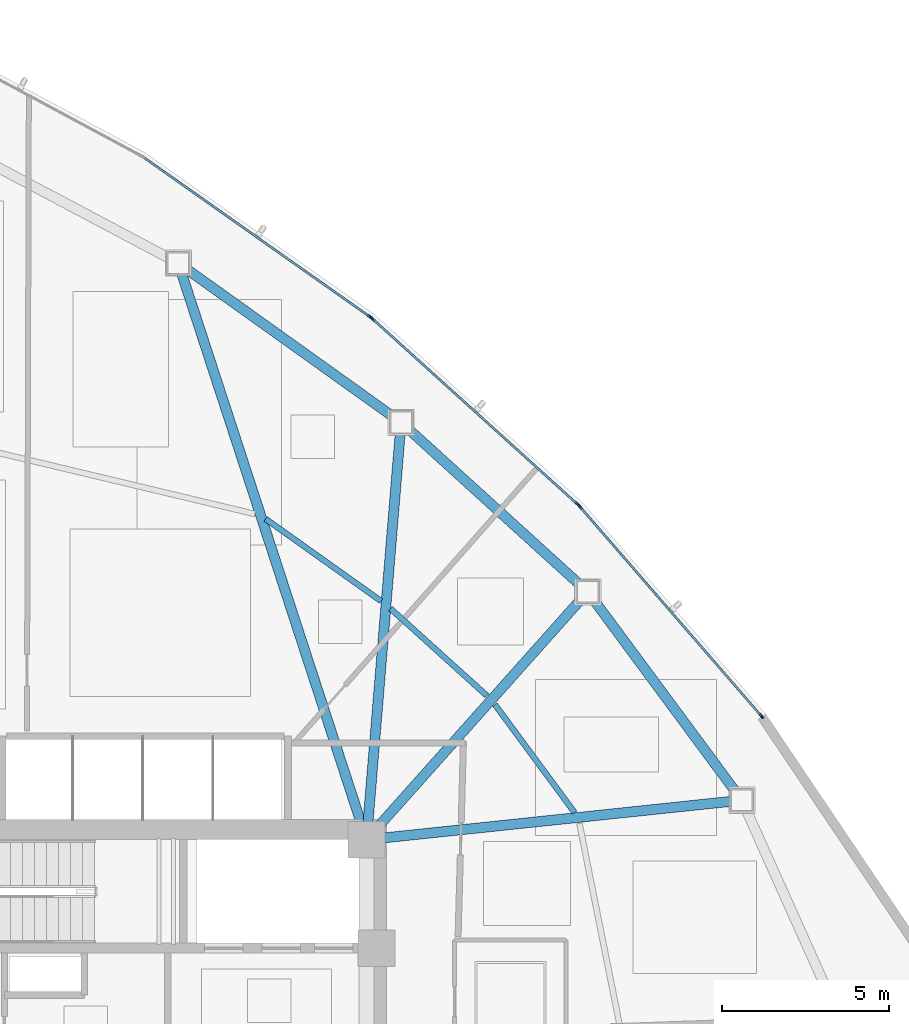
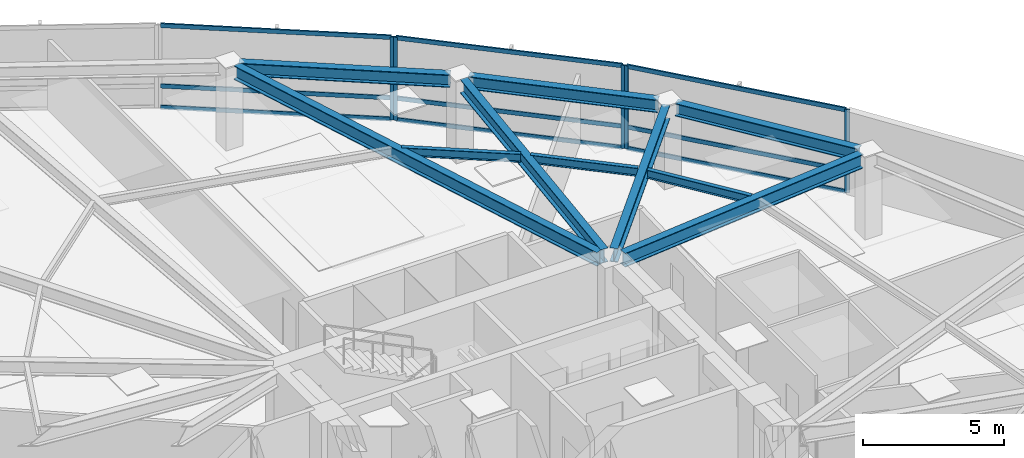
# One storey, part 9 of 17: 14 members, 10 beams, 3 elements without a shape of their own.
"""IFC4 building model written with IfcOpenShell, lengths in metres."""

from ifc_helpers import new_model, si_unit, direction, frame, origin, origin_2d, place, context, subcontext, project, spatial, hollow_rectangle, i_section, extrude, source, transform, mapped, material, layer, layer_set, material_profile, profile_set, type_object, type_shapes, element, aggregate, save


model = new_model("IFC4")

# Units and contexts
model_context = context("Model", 3, precision=1e-05, world=origin(), true_north=direction((0.0, 1.0)))
body_context = subcontext(model_context, "Body", "Model", "MODEL_VIEW")
ifc_project = project(units=[si_unit("LENGTHUNIT", "METRE"), si_unit("AREAUNIT", "SQUARE_METRE"), si_unit("VOLUMEUNIT", "CUBIC_METRE"), si_unit("PLANEANGLEUNIT", "RADIAN"), si_unit("MASSUNIT", "GRAM", prefix="KILO")], contexts=[model_context])

# Site, building, storey
site_placement = place(None, origin())
site = spatial("IfcSite", under=ifc_project, at=site_placement, CompositionType="ELEMENT")
building_placement = place(site_placement, origin())
building = spatial("IfcBuilding", under=site, at=building_placement, Name="Tavelor Broadcast Tower", CompositionType="ELEMENT")
storey_placement = place(building_placement, frame((0.0, 0.0, 86.10009765625)))
storey = spatial("IfcBuildingStorey", under=building, at=storey_placement, Name="L20", CompositionType="ELEMENT", Elevation=86.10009765625)

# Beams
ifc_material_1 = material(Name="Steel S355", Category="steel")
ifc_material_profile_1 = material_profile(ifc_material_1, i_section(OverallWidth=0.169921875, OverallDepth=0.360107421875, WebThickness=0.008056640625, FlangeThickness=0.0126953125, at=origin_2d()), Name="IPE 360")
ifc_profile_set_1 = profile_set([ifc_material_profile_1], Name="Steel S355")
beam_type_1 = type_object("IfcBeamType", Name="Composite Floor Joist T2 IPE 360", PredefinedType="JOIST", material=ifc_profile_set_1)
beam_1_placement = place(storey_placement, frame((62.831298828125, 52.012451171875, 3.419921875), z_axis=(-0.593748309908, 0.804650821463, 0.0), x_axis=(-0.804650821463, -0.593748309908, 0.0)))
element("IfcBeam", 1, at=beam_1_placement, inside=storey, type_object=beam_type_1, Name="L20 Secondary Composite Floor Joist 15", PredefinedType="JOIST", context=body_context, shape_type="SweptSolid", body=[
    extrude(i_section(OverallWidth=0.169921875, OverallDepth=0.360107421875, WebThickness=0.008056640625, FlangeThickness=0.0126953125, at=origin_2d()), origin(), (0.0, 0.0, 1.0), 4.016845703125),
])
beam_2_placement = place(storey_placement, frame((60.20458984375, 55.51171875, 3.419921875), z_axis=(-0.741870075826, 0.670543653011, 0.0), x_axis=(-0.670543653011, -0.741870075826, 0.0)))
element("IfcBeam", 2, at=beam_2_placement, inside=storey, type_object=beam_type_1, Name="L20 Secondary Composite Floor Joist 16", PredefinedType="JOIST", context=body_context, shape_type="SweptSolid", body=[
    extrude(i_section(OverallWidth=0.169921875, OverallDepth=0.360107421875, WebThickness=0.008056640625, FlangeThickness=0.0126953125, at=origin_2d()), origin(), (0.0, 0.0, 1.0), 3.891845703125),
])
beam_3_placement = place(storey_placement, frame((57.03564453125, 58.34765625, 3.419921875), z_axis=(-0.814948080737, 0.579533972864, 0.0), x_axis=(-0.579533972864, -0.814948080737, 0.0)))
element("IfcBeam", 3, at=beam_3_placement, inside=storey, type_object=beam_type_1, Name="L20 Secondary Composite Floor Joist 17", PredefinedType="JOIST", context=body_context, shape_type="SweptSolid", body=[
    extrude(i_section(OverallWidth=0.169921875, OverallDepth=0.360107421875, WebThickness=0.008056640625, FlangeThickness=0.0126953125, at=origin_2d()), origin(), (0.0, 0.0, 1.0), 4.24462890625),
])
ifc_material_profile_2 = material_profile(ifc_material_1, i_section(OverallWidth=0.300048828125, OverallDepth=0.550048828125, WebThickness=0.014892578125, FlangeThickness=0.029052734375, at=origin_2d()), Name="HEB 550")
ifc_profile_set_2 = profile_set([ifc_material_profile_2], Name="Steel S355")
beam_type_2 = type_object("IfcBeamType", Name="Perimeter Spandrel Beam T2 HEB 550", PredefinedType="SPANDREL", material=ifc_profile_set_2)
beam_4_placement = place(storey_placement, frame((67.640869140625, 52.652587890625, 3.324951171875), z_axis=(-0.594676591659, 0.803965018724, 0.0), x_axis=(-0.803965018724, -0.594676591659, 0.0)))
element("IfcBeam", 4, at=beam_4_placement, inside=storey, type_object=beam_type_2, Name="L20 Framed-Tube Ring Spandrel 15", PredefinedType="SPANDREL", context=body_context, shape_type="SweptSolid", body=[
    extrude(i_section(OverallWidth=0.300048828125, OverallDepth=0.550048828125, WebThickness=0.014892578125, FlangeThickness=0.029052734375, at=origin_2d()), origin(), (0.0, 0.0, 1.0), 7.09130859375),
])
beam_5_placement = place(storey_placement, frame((62.975341796875, 58.849609375, 3.324951171875), z_axis=(-0.740416987409, 0.672147814663, 0.0), x_axis=(-0.672147814663, -0.740416987409, 0.0)))
element("IfcBeam", 5, at=beam_5_placement, inside=storey, type_object=beam_type_2, Name="L20 Framed-Tube Ring Spandrel 16", PredefinedType="SPANDREL", context=body_context, shape_type="SweptSolid", body=[
    extrude(i_section(OverallWidth=0.300048828125, OverallDepth=0.550048828125, WebThickness=0.014892578125, FlangeThickness=0.029052734375, at=origin_2d()), origin(), (0.0, 0.0, 1.0), 6.876953125),
])
beam_6_placement = place(storey_placement, frame((57.361572265625, 63.893310546875, 3.324951171875), z_axis=(-0.813492458128, 0.581575464208, 0.0), x_axis=(-0.581575464208, -0.813492458128, 0.0)))
element("IfcBeam", 6, at=beam_6_placement, inside=storey, type_object=beam_type_2, Name="L20 Framed-Tube Ring Spandrel 17", PredefinedType="SPANDREL", context=body_context, shape_type="SweptSolid", body=[
    extrude(i_section(OverallWidth=0.300048828125, OverallDepth=0.550048828125, WebThickness=0.014892578125, FlangeThickness=0.029052734375, at=origin_2d()), origin(), (0.0, 0.0, 1.0), 7.531005859375),
])
ifc_material_profile_3 = material_profile(ifc_material_1, i_section(OverallWidth=0.300048828125, OverallDepth=0.60009765625, WebThickness=0.015380859375, FlangeThickness=0.030029296875, at=origin_2d()), Name="HEB 600")
ifc_profile_set_3 = profile_set([ifc_material_profile_3], Name="Steel S355")
beam_type_3 = type_object("IfcBeamType", Name="Radial Floor Girder T2 HEB 600", PredefinedType="BEAM", material=ifc_profile_set_3)
beam_7_placement = place(storey_placement, frame((57.125, 51.255126953125, 3.2998046875), z_axis=(0.994510577777, 0.104636086941, 0.0), x_axis=(-0.104636086941, 0.994510577777, 0.0)))
element("IfcBeam", 7, at=beam_7_placement, inside=storey, type_object=beam_type_3, Name="L20 Radial Primary Floor Girder 15", PredefinedType="BEAM", context=body_context, shape_type="SweptSolid", body=[
    extrude(i_section(OverallWidth=0.300048828125, OverallDepth=0.60009765625, WebThickness=0.015380859375, FlangeThickness=0.030029296875, at=origin_2d()), origin(), (0.0, 0.0, 1.0), 10.43896484375),
])
beam_8_placement = place(storey_placement, frame((56.951416015625, 51.593994140625, 3.2998046875), z_axis=(0.665778646807, 0.74614931043, 0.0), x_axis=(-0.74614931043, 0.665778646807, 0.0)))
element("IfcBeam", 8, at=beam_8_placement, inside=storey, type_object=beam_type_3, Name="L20 Radial Primary Floor Girder 16", PredefinedType="BEAM", context=body_context, shape_type="SweptSolid", body=[
    extrude(i_section(OverallWidth=0.300048828125, OverallDepth=0.60009765625, WebThickness=0.015380859375, FlangeThickness=0.030029296875, at=origin_2d()), origin(), (0.0, 0.0, 1.0), 9.085693359375),
])
beam_9_placement = place(storey_placement, frame((56.6435546875, 51.726318359375, 3.2998046875), z_axis=(0.082528077466, 0.996588739867, 0.0), x_axis=(-0.996588739867, 0.082528077466, 0.0)))
element("IfcBeam", 9, at=beam_9_placement, inside=storey, type_object=beam_type_3, Name="L20 Radial Primary Floor Girder 17", PredefinedType="BEAM", context=body_context, shape_type="SweptSolid", body=[
    extrude(i_section(OverallWidth=0.300048828125, OverallDepth=0.60009765625, WebThickness=0.015380859375, FlangeThickness=0.030029296875, at=origin_2d()), origin(), (0.0, 0.0, 1.0), 11.67626953125),
])
beam_10_placement = place(storey_placement, frame((56.43603515625, 51.701904296875, 3.2998046875), z_axis=(-0.310367170997, 0.950616757251, 0.0), x_axis=(-0.950616757251, -0.310367170997, 0.0)))
element("IfcBeam", 10, at=beam_10_placement, inside=storey, type_object=beam_type_3, Name="L20 Radial Primary Floor Girder 18", PredefinedType="BEAM", context=body_context, shape_type="SweptSolid", body=[
    extrude(i_section(OverallWidth=0.300048828125, OverallDepth=0.60009765625, WebThickness=0.015380859375, FlangeThickness=0.030029296875, at=origin_2d()), origin(), (0.0, 0.0, 1.0), 17.3017578125),
])

# Curtain wall, members
ifc_material_2 = material(Name="Architectural Anodized Aluminium", Category="aluminium")
ifc_layer = layer(ifc_material_2, 0.179931640625)
ifc_layer_set = layer_set([ifc_layer], Name="Architectural Anodized Aluminium")
curtain_wall_type = type_object("IfcCurtainWallType", Name="Tower Low-Zone Unitised Curtain Wall CW02", PredefinedType="NOTDEFINED", material=ifc_layer_set)
curtain_wall_1_placement = place(storey_placement, origin())
curtain_wall_1 = element("IfcCurtainWall", 11, at=curtain_wall_1_placement, inside=storey, type_object=curtain_wall_type, Name="L20 Curtain Wall CW02 Run 201", PredefinedType="NOTDEFINED")
ifc_material_profile_4 = material_profile(ifc_material_2, hollow_rectangle(XDim=0.06494140625, YDim=0.179931640625, WallThickness=0.02197265625, at=origin_2d()), Name="RHS 65x180x22")
ifc_profile_set_4 = profile_set([ifc_material_profile_4], Name="Architectural Anodized Aluminium")
member_type_1 = type_object("IfcMemberType", Name="CW02 Extruded Aluminium Mullion 65x180", PredefinedType="MULLION", material=ifc_profile_set_4)
shared_shape_1 = source(origin(), body_context, "Body", "SweptSolid", [
    extrude(hollow_rectangle(XDim=0.06494140625, YDim=0.179931640625, WallThickness=0.02197265625, at=origin_2d()), origin(), (0.0, 0.0, 1.0), 3.599853515625),
])
type_shapes(member_type_1, [shared_shape_1])
member_1_placement = place(storey_placement, frame((68.42431640625, 54.904541015625, 0.0), z_axis=(0.0, 0.0, 1.0), x_axis=(-0.755564834294, -0.655073874596, 0.0)))
member_1 = element("IfcMember", 12, at=member_1_placement, type_object=member_type_1, Name="CW02 mullion 1", PredefinedType="MULLION", context=body_context, shape_type="MappedRepresentation", body=[
    mapped(shared_shape_1, transform((0.0, 0.0, 0.0), scale=1.0)),
])
member_2_placement = place(storey_placement, frame((62.986572265625, 61.176513671875, 0.0), z_axis=(0.0, 0.0, 1.0), x_axis=(-0.755564834294, -0.655073874596, 0.0)))
member_2 = element("IfcMember", 13, at=member_2_placement, type_object=member_type_1, Name="CW02 mullion 2", PredefinedType="MULLION", context=body_context, shape_type="MappedRepresentation", body=[
    mapped(shared_shape_1, transform((0.0, 0.0, 0.0), scale=1.0)),
])

curtain_wall_2_placement = place(storey_placement, origin())
curtain_wall_2 = element("IfcCurtainWall", 14, at=curtain_wall_2_placement, inside=storey, type_object=curtain_wall_type, Name="L20 Curtain Wall CW02 Run 202", PredefinedType="NOTDEFINED")
member_3_placement = place(storey_placement, frame((62.92041015625, 61.244140625, 0.0), z_axis=(0.0, 0.0, 1.0), x_axis=(-0.670741165252, -0.741691505437, 0.0)))
member_3 = element("IfcMember", 15, at=member_3_placement, type_object=member_type_1, Name="CW02 mullion 1", PredefinedType="MULLION", context=body_context, shape_type="MappedRepresentation", body=[
    mapped(shared_shape_1, transform((0.0, 0.0, 0.0), scale=1.0)),
])
member_4_placement = place(storey_placement, frame((56.774658203125, 66.802001953125, 0.0), z_axis=(0.0, 0.0, 1.0), x_axis=(-0.670741165252, -0.741691505437, 0.0)))
member_4 = element("IfcMember", 16, at=member_4_placement, type_object=member_type_1, Name="CW02 mullion 2", PredefinedType="MULLION", context=body_context, shape_type="MappedRepresentation", body=[
    mapped(shared_shape_1, transform((0.0, 0.0, 0.0), scale=1.0)),
])

# Curtain wall, member
curtain_wall_3_placement = place(storey_placement, origin())
curtain_wall_3 = element("IfcCurtainWall", 17, at=curtain_wall_3_placement, inside=storey, type_object=curtain_wall_type, Name="L20 Curtain Wall CW02 Run 203", PredefinedType="NOTDEFINED")
member_5_placement = place(storey_placement, frame((56.70068359375, 66.861083984375, 0.0), z_axis=(0.0, 0.0, 1.0), x_axis=(-0.576063380284, -0.817405029282, 0.0)))
member_5 = element("IfcMember", 18, at=member_5_placement, type_object=member_type_1, Name="CW02 mullion 1", PredefinedType="MULLION", context=body_context, shape_type="MappedRepresentation", body=[
    mapped(shared_shape_1, transform((0.0, 0.0, 0.0), scale=1.0)),
])

# Member
ifc_material_profile_5 = material_profile(ifc_material_2, hollow_rectangle(XDim=0.06494140625, YDim=0.179931640625, WallThickness=0.02197265625, at=origin_2d()), Name="RHS 65x180x22")
ifc_profile_set_5 = profile_set([ifc_material_profile_5], Name="Architectural Anodized Aluminium")
member_type_2 = type_object("IfcMemberType", Name="CW02 Extruded Aluminium Transom 65x180", PredefinedType="USERDEFINED", material=ifc_profile_set_5)
shared_shape_2 = source(origin(), body_context, "Body", "SweptSolid", [
    extrude(hollow_rectangle(XDim=0.06494140625, YDim=0.179931640625, WallThickness=0.02197265625, at=origin_2d()), origin(), (0.0, 0.0, 1.0), 8.23583984375),
])
member_6_placement = place(storey_placement, frame((68.403076171875, 54.92919921875, 0.032470703125), z_axis=(-0.655089650308, 0.75555115648, 0.0), x_axis=(-0.75555115648, -0.655089650308, 0.0)))
member_6 = element("IfcMember", 19, at=member_6_placement, type_object=member_type_2, Name="CW02 transom 1.1", ObjectType="TRANSOM", PredefinedType="USERDEFINED", context=body_context, shape_type="MappedRepresentation", body=[
    mapped(shared_shape_2, transform((0.0, 0.0, 0.0), scale=1.0)),
])

member_7_placement = place(storey_placement, frame((68.403076171875, 54.92919921875, 0.949951171875), z_axis=(-0.655089650308, 0.75555115648, 0.0), x_axis=(-0.75555115648, -0.655089650308, 0.0)))
member_7 = element("IfcMember", 20, at=member_7_placement, type_object=member_type_2, Name="CW02 transom 1.2", ObjectType="TRANSOM", PredefinedType="USERDEFINED", context=body_context, shape_type="MappedRepresentation", body=[
    mapped(shared_shape_2, transform((0.0, 0.0, 0.0), scale=1.0)),
])

member_8_placement = place(storey_placement, frame((68.403076171875, 54.92919921875, 3.5673828125), z_axis=(-0.655089650308, 0.75555115648, 0.0), x_axis=(-0.75555115648, -0.655089650308, 0.0)))
member_8 = element("IfcMember", 21, at=member_8_placement, type_object=member_type_2, Name="CW02 transom 1.3", ObjectType="TRANSOM", PredefinedType="USERDEFINED", context=body_context, shape_type="MappedRepresentation", body=[
    mapped(shared_shape_2, transform((0.0, 0.0, 0.0), scale=1.0)),
])

aggregate(curtain_wall_1, [member_1, member_2, member_6, member_7, member_8])

shared_shape_3 = source(origin(), body_context, "Body", "SweptSolid", [
    extrude(hollow_rectangle(XDim=0.06494140625, YDim=0.179931640625, WallThickness=0.02197265625, at=origin_2d()), origin(), (0.0, 0.0, 1.0), 8.220703125),
])
type_shapes(member_type_2, [shared_shape_2, shared_shape_3])
member_9_placement = place(storey_placement, frame((62.896240234375, 61.26611328125, 0.032470703125), z_axis=(-0.741704611428, 0.670726672637, 0.0), x_axis=(-0.670726672637, -0.741704611428, 0.0)))
member_9 = element("IfcMember", 22, at=member_9_placement, type_object=member_type_2, Name="CW02 transom 1.1", ObjectType="TRANSOM", PredefinedType="USERDEFINED", context=body_context, shape_type="MappedRepresentation", body=[
    mapped(shared_shape_3, transform((0.0, 0.0, 0.0), scale=1.0)),
])

member_10_placement = place(storey_placement, frame((62.896240234375, 61.26611328125, 0.949951171875), z_axis=(-0.741704611428, 0.670726672637, 0.0), x_axis=(-0.670726672637, -0.741704611428, 0.0)))
member_10 = element("IfcMember", 23, at=member_10_placement, type_object=member_type_2, Name="CW02 transom 1.2", ObjectType="TRANSOM", PredefinedType="USERDEFINED", context=body_context, shape_type="MappedRepresentation", body=[
    mapped(shared_shape_3, transform((0.0, 0.0, 0.0), scale=1.0)),
])

member_11_placement = place(storey_placement, frame((62.896240234375, 61.26611328125, 3.5673828125), z_axis=(-0.741704611428, 0.670726672637, 0.0), x_axis=(-0.670726672637, -0.741704611428, 0.0)))
member_11 = element("IfcMember", 24, at=member_11_placement, type_object=member_type_2, Name="CW02 transom 1.3", ObjectType="TRANSOM", PredefinedType="USERDEFINED", context=body_context, shape_type="MappedRepresentation", body=[
    mapped(shared_shape_3, transform((0.0, 0.0, 0.0), scale=1.0)),
])

aggregate(curtain_wall_2, [member_3, member_4, member_9, member_10, member_11])

member_12_placement = place(storey_placement, frame((56.674072265625, 66.8798828125, 0.032470703125), z_axis=(-0.817411241595, 0.576054565223, 0.0), x_axis=(-0.576054565223, -0.817411241595, 0.0)))
member_12 = element("IfcMember", 25, at=member_12_placement, type_object=member_type_2, Name="CW02 transom 1.1", ObjectType="TRANSOM", PredefinedType="USERDEFINED", context=body_context, shape_type="MappedRepresentation", body=[
    mapped(shared_shape_3, transform((0.0, 0.0, 0.0), scale=1.0)),
])

member_13_placement = place(storey_placement, frame((56.674072265625, 66.8798828125, 0.949951171875), z_axis=(-0.817411241595, 0.576054565223, 0.0), x_axis=(-0.576054565223, -0.817411241595, 0.0)))
member_13 = element("IfcMember", 26, at=member_13_placement, type_object=member_type_2, Name="CW02 transom 1.2", ObjectType="TRANSOM", PredefinedType="USERDEFINED", context=body_context, shape_type="MappedRepresentation", body=[
    mapped(shared_shape_3, transform((0.0, 0.0, 0.0), scale=1.0)),
])

member_14_placement = place(storey_placement, frame((56.674072265625, 66.8798828125, 3.5673828125), z_axis=(-0.817411241595, 0.576054565223, 0.0), x_axis=(-0.576054565223, -0.817411241595, 0.0)))
member_14 = element("IfcMember", 27, at=member_14_placement, type_object=member_type_2, Name="CW02 transom 1.3", ObjectType="TRANSOM", PredefinedType="USERDEFINED", context=body_context, shape_type="MappedRepresentation", body=[
    mapped(shared_shape_3, transform((0.0, 0.0, 0.0), scale=1.0)),
])

aggregate(curtain_wall_3, [member_5, member_12, member_13, member_14])

save(model, "model.ifc")
